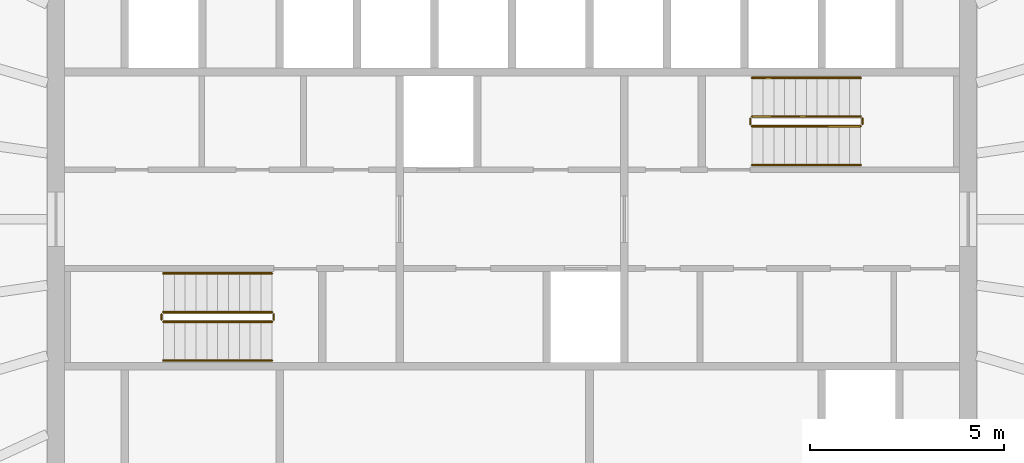
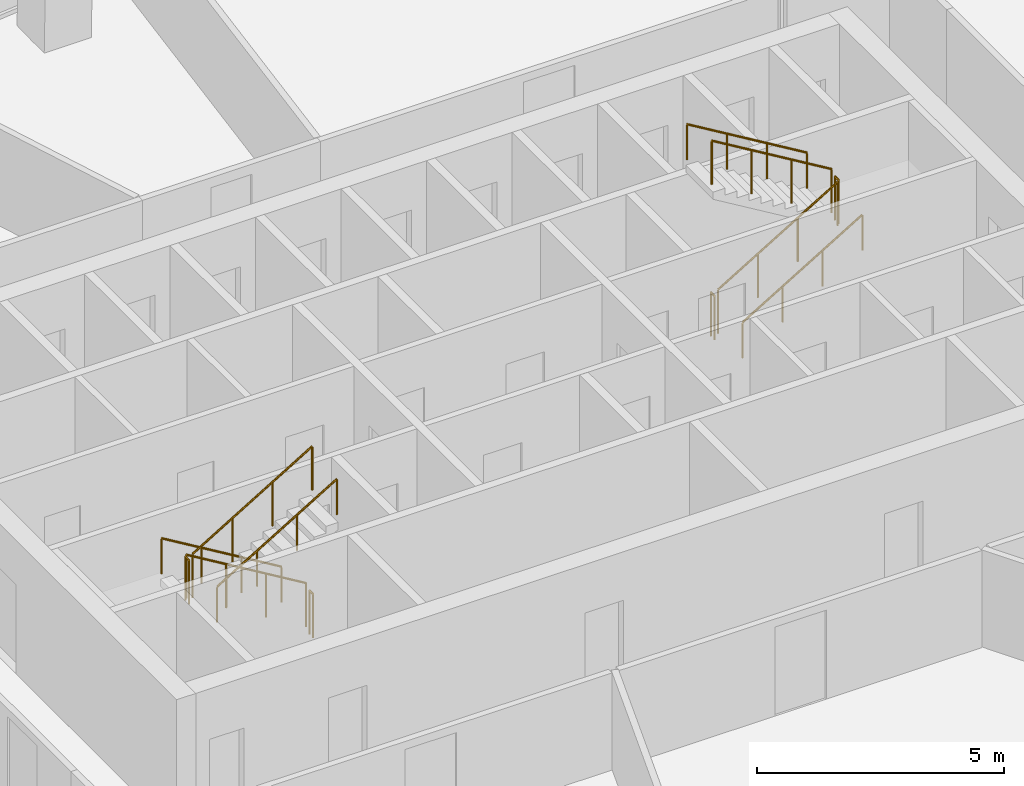
# One storey, part 10 of 10: 12 railings.
"""IFC4 building model written with IfcOpenShell, lengths in metres."""

from ifc_helpers import new_model, si_unit, direction, frame, origin, origin_2d, place, context, subcontext, project, spatial, circle, extrude, material, type_object, element, save


model = new_model("IFC4")

# Units and contexts
model_context = context("Model", 3, precision=1e-05, world=origin(), true_north=direction((0.0, 1.0)))
body_context = subcontext(model_context, "Body", "Model", "MODEL_VIEW")
ifc_project = project(units=[si_unit("LENGTHUNIT", "METRE"), si_unit("AREAUNIT", "SQUARE_METRE"), si_unit("VOLUMEUNIT", "CUBIC_METRE"), si_unit("PLANEANGLEUNIT", "RADIAN"), si_unit("MASSUNIT", "GRAM", prefix="KILO")], contexts=[model_context])

# Site, building, storey
site_placement = place(None, origin())
site = spatial("IfcSite", under=ifc_project, at=site_placement, CompositionType="ELEMENT")
building_placement = place(site_placement, origin())
building = spatial("IfcBuilding", under=site, at=building_placement, Name="Siaravel Broadcast Tower", CompositionType="ELEMENT")
storey_placement = place(building_placement, frame((0.0, 0.0, 160.800048828125)))
storey = spatial("IfcBuildingStorey", under=building, at=storey_placement, Name="L38", CompositionType="ELEMENT", Elevation=160.800048828125)

# Railings
ifc_material = material(Name="Stainless steel 316L", Category="steel")
railing_type_1 = type_object("IfcRailingType", Name="Stair guard 1100", PredefinedType="GUARDRAIL", material=ifc_material)
railing_1_placement = place(storey_placement, frame((-6.199951171875, -2.39990234375, 0.168212890625)))
element("IfcRailing", 1, at=railing_1_placement, inside=storey, type_object=railing_type_1, Name="L38 ST-1 stair guard 1", PredefinedType="GUARDRAIL", context=body_context, shape_type="SweptSolid", body=[
    extrude(circle(Radius=0.02392578125, at=origin_2d()), frame((0.0, 0.0, 1.076171875), z_axis=(-0.857275203, 0.0, 0.514858453), x_axis=(0.0, -1.0, 0.0)), (0.0, 0.0, 1.0), 3.26611328125),
    extrude(circle(Radius=0.02099609375, at=origin_2d()), origin(), (0.0, 0.0, 1.0), 1.052001953125),
    extrude(circle(Radius=0.02099609375, at=origin_2d()), frame((-0.933349609375, 0.0, 0.560546875)), (0.0, 0.0, 1.0), 1.052001953125),
    extrude(circle(Radius=0.02099609375, at=origin_2d()), frame((-1.86669921875, 0.0, 1.12109375)), (0.0, 0.0, 1.0), 1.052001953125),
    extrude(circle(Radius=0.02099609375, at=origin_2d()), frame((-2.800048828125, 0.0, 1.681640625)), (0.0, 0.0, 1.0), 1.052001953125),
])
railing_2_placement = place(storey_placement, frame((-9.050048828125, -2.449951171875, 1.849853515625)))
element("IfcRailing", 2, at=railing_2_placement, inside=storey, type_object=railing_type_1, Name="L38 ST-1 stair guard 2", PredefinedType="GUARDRAIL", context=body_context, shape_type="SweptSolid", body=[
    extrude(circle(Radius=0.02392578125, at=origin_2d()), frame((0.0, 0.0, 1.076171875), z_axis=(0.0, -1.0, 0.0), x_axis=(1.0, 0.0, 0.0)), (0.0, 0.0, 1.0), 0.150146484375),
    extrude(circle(Radius=0.02099609375, at=origin_2d()), origin(), (0.0, 0.0, 1.0), 1.052001953125),
    extrude(circle(Radius=0.02099609375, at=origin_2d()), frame((0.0, -0.150146484375, 0.0)), (0.0, 0.0, 1.0), 1.052001953125),
])
railing_3_placement = place(storey_placement, frame((-9.0, -2.64990234375, 2.01806640625)))
element("IfcRailing", 3, at=railing_3_placement, inside=storey, type_object=railing_type_1, Name="L38 ST-1 stair guard 3", PredefinedType="GUARDRAIL", context=body_context, shape_type="SweptSolid", body=[
    extrude(circle(Radius=0.02392578125, at=origin_2d()), frame((0.0, 0.0, 1.076171875), z_axis=(0.857242211, 0.0, 0.514913383), x_axis=(0.0, 1.0, 0.0)), (0.0, 0.0, 1.0), 3.266357421875),
    extrude(circle(Radius=0.02099609375, at=origin_2d()), origin(), (0.0, 0.0, 1.0), 1.052001953125),
    extrude(circle(Radius=0.02099609375, at=origin_2d()), frame((0.933349609375, 0.0, 0.560546875)), (0.0, 0.0, 1.0), 1.052001953125),
    extrude(circle(Radius=0.02099609375, at=origin_2d()), frame((1.86669921875, 0.0, 1.121337890625)), (0.0, 0.0, 1.0), 1.052001953125),
    extrude(circle(Radius=0.02099609375, at=origin_2d()), frame((2.800048828125, 0.0, 1.681884765625)), (0.0, 0.0, 1.0), 1.052001953125),
])
railing_4_placement = place(storey_placement, frame((-6.14990234375, -2.449951171875, 0.0)))
element("IfcRailing", 4, at=railing_4_placement, inside=storey, type_object=railing_type_1, Name="L38 ST-1 stair guard 4", PredefinedType="GUARDRAIL", context=body_context, shape_type="SweptSolid", body=[
    extrude(circle(Radius=0.02392578125, at=origin_2d()), frame((0.0, 0.0, 1.076171875), z_axis=(0.0, -1.0, 0.0), x_axis=(1.0, 0.0, 0.0)), (0.0, 0.0, 1.0), 0.150146484375),
    extrude(circle(Radius=0.02099609375, at=origin_2d()), origin(), (0.0, 0.0, 1.0), 1.052001953125),
    extrude(circle(Radius=0.02099609375, at=origin_2d()), frame((0.0, -0.150146484375, 0.0)), (0.0, 0.0, 1.0), 1.052001953125),
])
railing_5_placement = place(storey_placement, frame((6.199951171875, 2.39990234375, 0.168212890625)))
element("IfcRailing", 5, at=railing_5_placement, inside=storey, type_object=railing_type_1, Name="L38 ST-2 stair guard 1", PredefinedType="GUARDRAIL", context=body_context, shape_type="SweptSolid", body=[
    extrude(circle(Radius=0.02392578125, at=origin_2d()), frame((0.0, 0.0, 1.076171875), z_axis=(0.857275203, 0.0, 0.514858453), x_axis=(0.0, 1.0, 0.0)), (0.0, 0.0, 1.0), 3.26611328125),
    extrude(circle(Radius=0.02099609375, at=origin_2d()), origin(), (0.0, 0.0, 1.0), 1.052001953125),
    extrude(circle(Radius=0.02099609375, at=origin_2d()), frame((0.933349609375, 0.0, 0.560546875)), (0.0, 0.0, 1.0), 1.052001953125),
    extrude(circle(Radius=0.02099609375, at=origin_2d()), frame((1.86669921875, 0.0, 1.12109375)), (0.0, 0.0, 1.0), 1.052001953125),
    extrude(circle(Radius=0.02099609375, at=origin_2d()), frame((2.800048828125, 0.0, 1.681640625)), (0.0, 0.0, 1.0), 1.052001953125),
])
railing_6_placement = place(storey_placement, frame((9.050048828125, 2.449951171875, 1.849853515625)))
element("IfcRailing", 6, at=railing_6_placement, inside=storey, type_object=railing_type_1, Name="L38 ST-2 stair guard 2", PredefinedType="GUARDRAIL", context=body_context, shape_type="SweptSolid", body=[
    extrude(circle(Radius=0.02392578125, at=origin_2d()), frame((0.0, 0.0, 1.076171875), z_axis=(0.0, 1.0, 0.0), x_axis=(-1.0, 0.0, 0.0)), (0.0, 0.0, 1.0), 0.150146484375),
    extrude(circle(Radius=0.02099609375, at=origin_2d()), origin(), (0.0, 0.0, 1.0), 1.052001953125),
    extrude(circle(Radius=0.02099609375, at=origin_2d()), frame((0.0, 0.150146484375, 0.0)), (0.0, 0.0, 1.0), 1.052001953125),
])
railing_7_placement = place(storey_placement, frame((9.0, 2.64990234375, 2.01806640625)))
element("IfcRailing", 7, at=railing_7_placement, inside=storey, type_object=railing_type_1, Name="L38 ST-2 stair guard 3", PredefinedType="GUARDRAIL", context=body_context, shape_type="SweptSolid", body=[
    extrude(circle(Radius=0.02392578125, at=origin_2d()), frame((0.0, 0.0, 1.076171875), z_axis=(-0.857242211, 0.0, 0.514913383), x_axis=(0.0, -1.0, 0.0)), (0.0, 0.0, 1.0), 3.266357421875),
    extrude(circle(Radius=0.02099609375, at=origin_2d()), origin(), (0.0, 0.0, 1.0), 1.052001953125),
    extrude(circle(Radius=0.02099609375, at=origin_2d()), frame((-0.933349609375, 0.0, 0.560546875)), (0.0, 0.0, 1.0), 1.052001953125),
    extrude(circle(Radius=0.02099609375, at=origin_2d()), frame((-1.86669921875, 0.0, 1.121337890625)), (0.0, 0.0, 1.0), 1.052001953125),
    extrude(circle(Radius=0.02099609375, at=origin_2d()), frame((-2.800048828125, 0.0, 1.681884765625)), (0.0, 0.0, 1.0), 1.052001953125),
])
railing_8_placement = place(storey_placement, frame((6.14990234375, 2.449951171875, 0.0)))
element("IfcRailing", 8, at=railing_8_placement, inside=storey, type_object=railing_type_1, Name="L38 ST-2 stair guard 4", PredefinedType="GUARDRAIL", context=body_context, shape_type="SweptSolid", body=[
    extrude(circle(Radius=0.02392578125, at=origin_2d()), frame((0.0, 0.0, 1.076171875), z_axis=(0.0, 1.0, 0.0), x_axis=(-1.0, 0.0, 0.0)), (0.0, 0.0, 1.0), 0.150146484375),
    extrude(circle(Radius=0.02099609375, at=origin_2d()), origin(), (0.0, 0.0, 1.0), 1.052001953125),
    extrude(circle(Radius=0.02099609375, at=origin_2d()), frame((0.0, 0.150146484375, 0.0)), (0.0, 0.0, 1.0), 1.052001953125),
])
railing_type_2 = type_object("IfcRailingType", Name="Stair handrail 900", PredefinedType="HANDRAIL", material=ifc_material)
railing_9_placement = place(storey_placement, frame((-6.199951171875, -1.39990234375, 0.168212890625)))
element("IfcRailing", 9, at=railing_9_placement, inside=storey, type_object=railing_type_2, Name="L38 ST-1 stair handrail 1", PredefinedType="HANDRAIL", context=body_context, shape_type="SweptSolid", body=[
    extrude(circle(Radius=0.02392578125, at=origin_2d()), frame((0.0, 0.0, 0.8759765625), z_axis=(-0.857275203, 0.0, 0.514858453), x_axis=(0.0, -1.0, 0.0)), (0.0, 0.0, 1.0), 3.26611328125),
    extrude(circle(Radius=0.02099609375, at=origin_2d()), origin(), (0.0, 0.0, 1.0), 0.851806640625),
    extrude(circle(Radius=0.02099609375, at=origin_2d()), frame((-0.933349609375, 0.0, 0.560546875)), (0.0, 0.0, 1.0), 0.851806640625),
    extrude(circle(Radius=0.02099609375, at=origin_2d()), frame((-1.86669921875, 0.0, 1.12109375)), (0.0, 0.0, 1.0), 0.851806640625),
    extrude(circle(Radius=0.02099609375, at=origin_2d()), frame((-2.800048828125, 0.0, 1.681640625)), (0.0, 0.0, 1.0), 0.851806640625),
])
railing_10_placement = place(storey_placement, frame((-9.0, -3.64990234375, 2.01806640625)))
element("IfcRailing", 10, at=railing_10_placement, inside=storey, type_object=railing_type_2, Name="L38 ST-1 stair handrail 2", PredefinedType="HANDRAIL", context=body_context, shape_type="SweptSolid", body=[
    extrude(circle(Radius=0.02392578125, at=origin_2d()), frame((0.0, 0.0, 0.8759765625), z_axis=(0.857242211, 0.0, 0.514913383), x_axis=(0.0, 1.0, 0.0)), (0.0, 0.0, 1.0), 3.266357421875),
    extrude(circle(Radius=0.02099609375, at=origin_2d()), origin(), (0.0, 0.0, 1.0), 0.851806640625),
    extrude(circle(Radius=0.02099609375, at=origin_2d()), frame((0.933349609375, 0.0, 0.560546875)), (0.0, 0.0, 1.0), 0.851806640625),
    extrude(circle(Radius=0.02099609375, at=origin_2d()), frame((1.86669921875, 0.0, 1.121337890625)), (0.0, 0.0, 1.0), 0.851806640625),
    extrude(circle(Radius=0.02099609375, at=origin_2d()), frame((2.800048828125, 0.0, 1.681884765625)), (0.0, 0.0, 1.0), 0.851806640625),
])
railing_11_placement = place(storey_placement, frame((6.199951171875, 1.39990234375, 0.168212890625)))
element("IfcRailing", 11, at=railing_11_placement, inside=storey, type_object=railing_type_2, Name="L38 ST-2 stair handrail 1", PredefinedType="HANDRAIL", context=body_context, shape_type="SweptSolid", body=[
    extrude(circle(Radius=0.02392578125, at=origin_2d()), frame((0.0, 0.0, 0.8759765625), z_axis=(0.857275203, 0.0, 0.514858453), x_axis=(0.0, 1.0, 0.0)), (0.0, 0.0, 1.0), 3.26611328125),
    extrude(circle(Radius=0.02099609375, at=origin_2d()), origin(), (0.0, 0.0, 1.0), 0.851806640625),
    extrude(circle(Radius=0.02099609375, at=origin_2d()), frame((0.933349609375, 0.0, 0.560546875)), (0.0, 0.0, 1.0), 0.851806640625),
    extrude(circle(Radius=0.02099609375, at=origin_2d()), frame((1.86669921875, 0.0, 1.12109375)), (0.0, 0.0, 1.0), 0.851806640625),
    extrude(circle(Radius=0.02099609375, at=origin_2d()), frame((2.800048828125, 0.0, 1.681640625)), (0.0, 0.0, 1.0), 0.851806640625),
])
railing_12_placement = place(storey_placement, frame((9.0, 3.64990234375, 2.01806640625)))
element("IfcRailing", 12, at=railing_12_placement, inside=storey, type_object=railing_type_2, Name="L38 ST-2 stair handrail 2", PredefinedType="HANDRAIL", context=body_context, shape_type="SweptSolid", body=[
    extrude(circle(Radius=0.02392578125, at=origin_2d()), frame((0.0, 0.0, 0.8759765625), z_axis=(-0.857242211, 0.0, 0.514913383), x_axis=(0.0, -1.0, 0.0)), (0.0, 0.0, 1.0), 3.266357421875),
    extrude(circle(Radius=0.02099609375, at=origin_2d()), origin(), (0.0, 0.0, 1.0), 0.851806640625),
    extrude(circle(Radius=0.02099609375, at=origin_2d()), frame((-0.933349609375, 0.0, 0.560546875)), (0.0, 0.0, 1.0), 0.851806640625),
    extrude(circle(Radius=0.02099609375, at=origin_2d()), frame((-1.86669921875, 0.0, 1.121337890625)), (0.0, 0.0, 1.0), 0.851806640625),
    extrude(circle(Radius=0.02099609375, at=origin_2d()), frame((-2.800048828125, 0.0, 1.681884765625)), (0.0, 0.0, 1.0), 0.851806640625),
])

save(model, "model.ifc")
